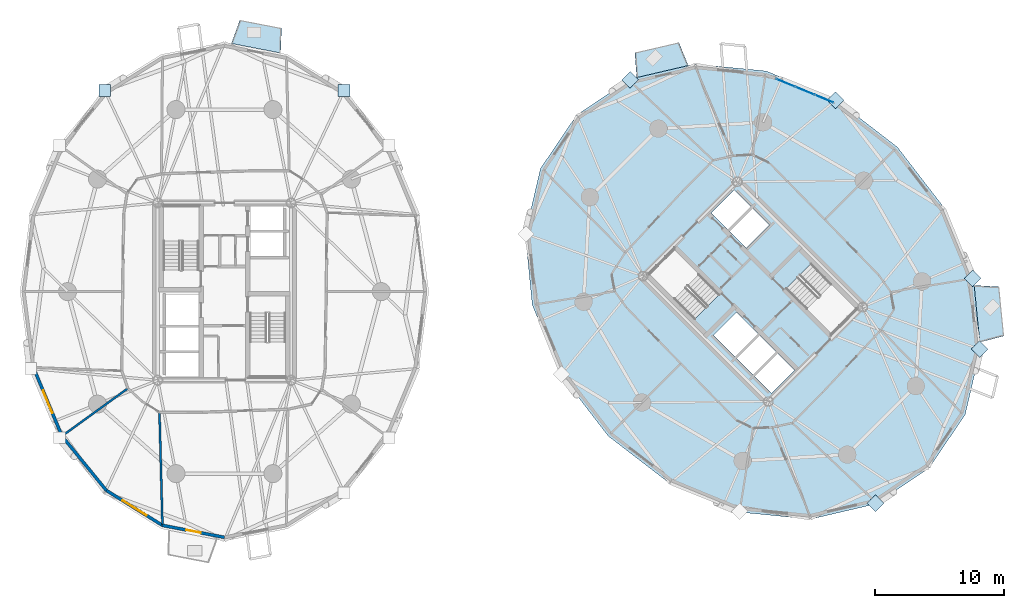
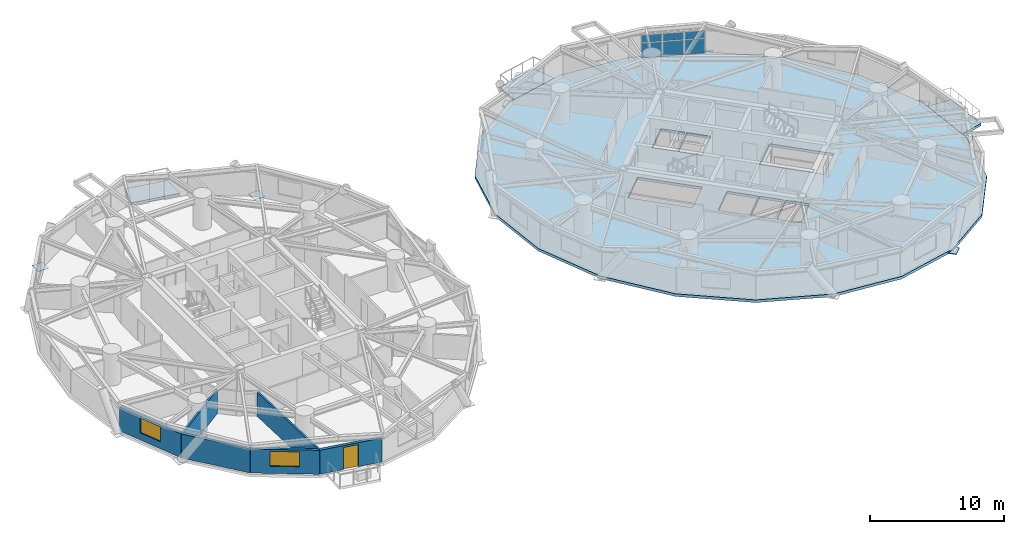
# One storey, part 9 of 19: 13 plates, 6 walls, 4 slabs, 2 windows, 1 door, 3 openings, 1 element without a shape of its own.
"""IFC4 building model written with IfcOpenShell, lengths in metres."""

from ifc_helpers import new_model, si_unit, direction, frame, frame_2d, origin, origin_2d, place, context, subcontext, project, spatial, polyline, rectangle, outline, extrude, source, transform, mapped, material, layer, layer_set, type_object, element, fill, aggregate, save


model = new_model("IFC4")

# Units and contexts
model_context = context("Model", 3, precision=1e-05, world=origin(), true_north=direction((0.0, 1.0)))
body_context = subcontext(model_context, "Body", "Model", "MODEL_VIEW")
ifc_project = project(units=[si_unit("LENGTHUNIT", "METRE"), si_unit("AREAUNIT", "SQUARE_METRE"), si_unit("VOLUMEUNIT", "CUBIC_METRE"), si_unit("PLANEANGLEUNIT", "RADIAN"), si_unit("MASSUNIT", "GRAM", prefix="KILO")], contexts=[model_context])

# Site, building, storey
site_placement = place(None, origin())
site = spatial("IfcSite", under=ifc_project, at=site_placement, CompositionType="ELEMENT")
building_placement = place(site_placement, origin())
building = spatial("IfcBuilding", under=site, at=building_placement, Name="Cununo Teusaquillo Station Towers", CompositionType="ELEMENT")
storey_placement = place(building_placement, frame((0.0, 0.0, 84.699951171875)))
storey = spatial("IfcBuildingStorey", under=building, at=storey_placement, Name="L26", CompositionType="ELEMENT", Elevation=84.699951171875)

# Slabs
ifc_material_1 = material(Name="Concrete C50/60", Category="concrete")
ifc_layer_1 = layer(ifc_material_1, 0.2099609375)
ifc_layer_set_1 = layer_set([ifc_layer_1], Name="Concrete C50/60")
slab_type_1 = type_object("IfcSlabType", Name="SLB-BAL-210", PredefinedType="FLOOR", material=ifc_layer_set_1)
slab_1_placement = place(storey_placement, frame((0.0, 0.0, -0.2099609375)))
element("IfcSlab", 1, at=slab_1_placement, inside=storey, type_object=slab_type_1, Name="L26 Tower A Tree Balcony Slab 1", PredefinedType="FLOOR", context=body_context, shape_type="SweptSolid", body=[
    extrude(outline(polyline([(20.8623046875, 43.01220703125), (17.041015625, 43.75048828125), (17.69873046875, 45.573974609375), (20.930908203125, 44.94921875), (20.8623046875, 43.01220703125)])), origin(), (0.0, 0.0, 1.0), 0.2099609375),
])
slab_2_placement = place(storey_placement, frame((0.0, 0.0, -0.2099609375)))
element("IfcSlab", 2, at=slab_2_placement, inside=storey, type_object=slab_type_1, Name="L26 Tower B Tree Balcony Slab 1", PredefinedType="FLOOR", context=body_context, shape_type="SweptSolid", body=[
    extrude(outline(polyline([(52.486083984375, 42.04150390625), (48.4873046875, 41.1083984375), (48.344482421875, 43.04150390625), (51.7587890625, 43.83837890625), (52.486083984375, 42.04150390625)])), origin(), (0.0, 0.0, 1.0), 0.2099609375),
])
slab_3_placement = place(storey_placement, frame((0.0, 0.0, -0.2099609375)))
element("IfcSlab", 3, at=slab_3_placement, inside=storey, type_object=slab_type_1, Name="L26 Tower B Tree Balcony Slab 2", PredefinedType="FLOOR", context=body_context, shape_type="SweptSolid", body=[
    extrude(outline(polyline([(75.1123046875, 20.57080078125), (74.675048828125, 24.984375), (76.6103515625, 24.87451171875), (76.988525390625, 21.05810546875), (75.1123046875, 20.57080078125)])), origin(), (0.0, 0.0, 1.0), 0.2099609375),
])
ifc_material_2 = material(Name="Concrete C40/50", Category="concrete")
ifc_layer_2 = layer(ifc_material_2, 0.239990234375)
ifc_layer_set_2 = layer_set([ifc_layer_2], Name="Concrete C40/50")
slab_type_2 = type_object("IfcSlabType", Name="SLB-Z2-240", PredefinedType="FLOOR", material=ifc_layer_set_2)
slab_4_placement = place(storey_placement, frame((0.0, 0.0, -0.239990234375)))
element("IfcSlab", 4, at=slab_4_placement, inside=storey, type_object=slab_type_2, Name="L26 Tower B Floor Slab", PredefinedType="FLOOR", context=body_context, shape_type="SweptSolid", body=[
    extrude(outline(polyline([(68.71533203125, 35.71533203125), (63.938232421875, 39.39453125), (58.531005859375, 41.61572265625), (53.02294921875, 42.16162109375), (47.952880859375, 40.978515625), (43.8173828125, 38.1826171875), (41.021484375, 34.047119140625), (39.83837890625, 28.97705078125), (40.38427734375, 23.468994140625), (42.60546875, 18.061767578125), (46.28466796875, 13.28466796875), (51.061767578125, 9.60546875), (56.468994140625, 7.38427734375), (61.97705078125, 6.83837890625), (67.047119140625, 8.021484375), (71.1826171875, 10.8173828125), (73.978515625, 14.952880859375), (75.16162109375, 20.02294921875), (74.61572265625, 25.531005859375), (72.39453125, 30.938232421875), (68.71533203125, 35.71533203125)]), holes=[polyline([(54.914794921875, 24.28515625), (51.390625, 27.809326171875), (49.43896484375, 25.857666015625), (52.963134765625, 22.33349609375), (54.914794921875, 24.28515625)]), polyline([(60.085205078125, 24.71484375), (63.609375, 21.190673828125), (65.56103515625, 23.142333984375), (62.036865234375, 26.66650390625), (60.085205078125, 24.71484375)]), polyline([(56.156494140625, 19.40869140625), (57.945556640625, 21.19775390625), (56.248291015625, 22.89501953125), (54.45947265625, 21.10595703125), (56.156494140625, 19.40869140625)]), polyline([(58.94970703125, 16.61572265625), (60.738525390625, 18.40478515625), (59.430419921875, 19.712890625), (57.641357421875, 17.923828125), (58.94970703125, 16.61572265625)]), polyline([(57.535400390625, 18.030029296875), (59.32421875, 19.819091796875), (58.01611328125, 21.127197265625), (56.227294921875, 19.338134765625), (57.535400390625, 18.030029296875)]), polyline([(56.98388671875, 27.872802734375), (58.772705078125, 29.661865234375), (57.464599609375, 30.969970703125), (55.67578125, 29.180908203125), (56.98388671875, 27.872802734375)]), polyline([(55.569580078125, 29.287109375), (57.358642578125, 31.076171875), (56.05029296875, 32.38427734375), (54.261474609375, 30.59521484375), (55.569580078125, 29.287109375)])]), origin(), (0.0, 0.0, 1.0), 0.239990234375),
])

# Plates
ifc_material_3 = material(Name="Steel ASTM A572 Grade 50", Category="steel")
ifc_layer_3 = layer(ifc_material_3, 0.050048828125)
ifc_layer_set_3 = layer_set([ifc_layer_3], Name="Steel ASTM A572 Grade 50")
plate_type_1 = type_object("IfcPlateType", Name="PLT-NODE-DN1", PredefinedType="USERDEFINED", material=ifc_layer_set_3)
shared_shape_1 = source(origin(), body_context, "Body", "SweptSolid", [
    extrude(rectangle(XDim=0.919921875, YDim=0.919921875, at=origin_2d()), origin(), (0.0, 0.0, 1.0), 0.050048828125),
])
for number, where, z_axis, x_axis, name in (
    (5, (25.78759765625, 40.10595703125, -0.1650390625), (0.0, 0.0, 1.0), (1.0, 0.0, 0.0), "L26 Tower A Diagrid Node Assembly C03"),
    (6, (7.21240234375, 40.10595703125, -0.1650390625), (0.0, 0.0, 1.0), (1.0, 0.0, 0.0), "L26 Tower A Diagrid Node Assembly C06"),
    (7, (63.9111328125, 39.341064453125, -0.1650390625), (0.0, 0.0, 1.0), (0.707106781187, 0.707106781187, 0.0), "L26 Tower B Diagrid Node Assembly C00"),
    (8, (47.980224609375, 40.92529296875, -0.1650390625), (0.0, 0.0, 1.0), (0.707106781187, 0.707106781187, 0.0), "L26 Tower B Diagrid Node Assembly C04"),
    (9, (67.019775390625, 8.07470703125, -0.1650390625), (0.0, 0.0, 1.0), (0.707106781187, 0.707106781187, 0.0), "L26 Tower B Diagrid Node Assembly C14"),
    (10, (75.102294921875, 20.0322265625, -0.1650390625), (0.0, 0.0, 1.0), (0.707106781187, 0.707106781187, 0.0), "L26 Tower B Diagrid Node Assembly C16"),
    (11, (74.556640625, 25.521728515625, -0.1650390625), (0.0, 0.0, 1.0), (0.707106781187, 0.707106781187, 0.0), "L26 Tower B Diagrid Node Assembly C18"),
):
    element("IfcPlate", number, at=place(storey_placement, frame(where, z_axis=z_axis, x_axis=x_axis)), inside=storey, type_object=plate_type_1, Name=name, ObjectType="GUSSET PLATE", PredefinedType="USERDEFINED", context=body_context, shape_type="MappedRepresentation", body=[
        mapped(shared_shape_1, transform((0.0, 0.0, 0.0), x_axis=(1.0, 0.0, 0.0), y_axis=(0.0, 1.0, 0.0), z_axis=(0.0, 0.0, 1.0), scale=1.0)),
    ])

# Curtain wall, plates
ifc_material_4 = material(Name="Ceramic-fritted dark low-E double glazing", Category="glass")
ifc_layer_4 = layer(ifc_material_4, 0.179931640625)
ifc_layer_set_4 = layer_set([ifc_layer_4], Name="Ceramic-fritted dark low-E double glazing")
curtain_wall_type = type_object("IfcCurtainWallType", Name="CW-SYS-04", PredefinedType="USERDEFINED", material=ifc_layer_set_4)
curtain_wall_placement = place(storey_placement, origin())
curtain_wall = element("IfcCurtainWall", 12, at=curtain_wall_placement, inside=storey, type_object=curtain_wall_type, Name="L26 Tower B Facade Curtain Wall C01", ObjectType="FRITTED GLAZING", PredefinedType="USERDEFINED")
ifc_material_5 = material(Name="Ceramic-fritted dark low-E double glazing", Category="glass")
ifc_layer_5 = layer(ifc_material_5, 0.028076171875)
ifc_layer_set_5 = layer_set([ifc_layer_5], Name="Ceramic-fritted dark low-E double glazing")
plate_type_2 = type_object("IfcPlateType", Name="CWP-FRIT-28", PredefinedType="CURTAIN_PANEL", material=ifc_layer_set_5)
shared_shape_2 = source(origin(), body_context, "Body", "SweptSolid", [
    extrude(rectangle(XDim=1.531005859375, YDim=0.028076171875, at=origin_2d()), origin(), (0.0, 0.0, 1.0), 1.31103515625),
])
plate_1_placement = place(storey_placement, frame((60.045654296875, 40.697021484375, 0.070068359375), z_axis=(0.0, 0.0, 1.0), x_axis=(0.924562443652, -0.381030560176, 0.0)))
plate_1 = element("IfcPlate", 13, at=plate_1_placement, type_object=plate_type_2, Name="CW-04 panel 1.1", PredefinedType="CURTAIN_PANEL", context=body_context, shape_type="MappedRepresentation", body=[
    mapped(shared_shape_2, transform((0.0, 0.0, 0.0), x_axis=(1.0, 0.0, 0.0), y_axis=(0.0, 1.0, 0.0), z_axis=(0.0, 0.0, 1.0), scale=1.0)),
])
plate_2_placement = place(storey_placement, frame((63.03857421875, 39.463623046875, 0.070068359375), z_axis=(0.0, 0.0, 1.0), x_axis=(0.924562443652, -0.381030560176, 0.0)))
plate_2 = element("IfcPlate", 14, at=plate_2_placement, type_object=plate_type_2, Name="CW-04 panel 3.1", PredefinedType="CURTAIN_PANEL", context=body_context, shape_type="MappedRepresentation", body=[
    mapped(shared_shape_2, transform((0.0, 0.0, 0.0), x_axis=(1.0, 0.0, 0.0), y_axis=(0.0, 1.0, 0.0), z_axis=(0.0, 0.0, 1.0), scale=1.0)),
])
shared_shape_3 = source(origin(), body_context, "Body", "SweptSolid", [
    extrude(rectangle(XDim=1.531005859375, YDim=0.028076171875, at=origin_2d()), origin(), (0.0, 0.0, 1.0), 0.657958984375),
])
plate_3_placement = place(storey_placement, frame((60.045654296875, 40.697021484375, 1.451171875), z_axis=(0.0, 0.0, 1.0), x_axis=(0.924562443652, -0.381030560176, 0.0)))
plate_3 = element("IfcPlate", 15, at=plate_3_placement, type_object=plate_type_2, Name="CW-04 panel 1.2", PredefinedType="CURTAIN_PANEL", context=body_context, shape_type="MappedRepresentation", body=[
    mapped(shared_shape_3, transform((0.0, 0.0, 0.0), x_axis=(1.0, 0.0, 0.0), y_axis=(0.0, 1.0, 0.0), z_axis=(0.0, 0.0, 1.0), scale=1.0)),
])
plate_4_placement = place(storey_placement, frame((63.03857421875, 39.463623046875, 1.451171875), z_axis=(0.0, 0.0, 1.0), x_axis=(0.924562443652, -0.381030560176, 0.0)))
plate_4 = element("IfcPlate", 16, at=plate_4_placement, type_object=plate_type_2, Name="CW-04 panel 3.2", PredefinedType="CURTAIN_PANEL", context=body_context, shape_type="MappedRepresentation", body=[
    mapped(shared_shape_3, transform((0.0, 0.0, 0.0), x_axis=(1.0, 0.0, 0.0), y_axis=(0.0, 1.0, 0.0), z_axis=(0.0, 0.0, 1.0), scale=1.0)),
])
shared_shape_4 = source(origin(), body_context, "Body", "SweptSolid", [
    extrude(rectangle(XDim=1.566162109375, YDim=0.028076171875, at=origin_2d()), origin(), (0.0, 0.0, 1.0), 1.31103515625),
])
plate_5_placement = place(storey_placement, frame((61.542236328125, 40.080322265625, 0.070068359375), z_axis=(0.0, 0.0, 1.0), x_axis=(0.924562443652, -0.381030560176, 0.0)))
plate_5 = element("IfcPlate", 17, at=plate_5_placement, type_object=plate_type_2, Name="CW-04 panel 2.1", PredefinedType="CURTAIN_PANEL", context=body_context, shape_type="MappedRepresentation", body=[
    mapped(shared_shape_4, transform((0.0, 0.0, 0.0), x_axis=(1.0, 0.0, 0.0), y_axis=(0.0, 1.0, 0.0), z_axis=(0.0, 0.0, 1.0), scale=1.0)),
])
shared_shape_5 = source(origin(), body_context, "Body", "SweptSolid", [
    extrude(rectangle(XDim=1.566162109375, YDim=0.028076171875, at=origin_2d()), origin(), (0.0, 0.0, 1.0), 0.657958984375),
])
plate_6_placement = place(storey_placement, frame((61.542236328125, 40.080322265625, 1.451171875), z_axis=(0.0, 0.0, 1.0), x_axis=(0.924562443652, -0.381030560176, 0.0)))
plate_6 = element("IfcPlate", 18, at=plate_6_placement, type_object=plate_type_2, Name="CW-04 panel 2.2", PredefinedType="CURTAIN_PANEL", context=body_context, shape_type="MappedRepresentation", body=[
    mapped(shared_shape_5, transform((0.0, 0.0, 0.0), x_axis=(1.0, 0.0, 0.0), y_axis=(0.0, 1.0, 0.0), z_axis=(0.0, 0.0, 1.0), scale=1.0)),
])
aggregate(curtain_wall, [plate_1, plate_3, plate_5, plate_6, plate_2, plate_4])

# Wall, opening, window
ifc_material_6 = material(Name="Precast concrete C40/50", Category="concrete")
ifc_layer_6 = layer(ifc_material_6, 0.239990234375)
ifc_layer_set_6 = layer_set([ifc_layer_6], Name="Precast concrete C40/50")
wall_type_1 = type_object("IfcWallType", Name="WL-EXT-240", PredefinedType="SOLIDWALL", material=ifc_layer_set_6)
wall_1_placement = place(storey_placement, frame((3.894775390625, 13.291015625, 0.0), z_axis=(0.0, 0.0, 1.0), x_axis=(-0.384344417632, 0.923189779317, 0.0)))
wall_1 = element("IfcWall", 19, at=wall_1_placement, inside=storey, type_object=wall_type_1, Name="L26 Tower A Exterior Facade Wall C11", PredefinedType="SOLIDWALL", context=body_context, shape_type="SweptSolid", body=[
    extrude(rectangle(XDim=5.75830078125, YDim=0.239990234375, at=frame_2d((2.879150390625, 0.0))), origin(), (0.0, 0.0, 1.0), 2.178955078125),
])
shared_shape_6 = source(origin(), body_context, "Body", "SweptSolid", [
    extrude(rectangle(XDim=1.89990234375, YDim=1.35009765625, at=frame_2d((0.949951171875, 0.675048828125))), frame((0.0, 0.1298828125, 0.0), z_axis=(0.0, -1.0, 0.0), x_axis=(1.0, 0.0, 0.0)), (0.0, 0.0, 1.0), 0.260009765625),
])
opening_1_placement = place(wall_1_placement, frame((1.928955078125, 0.0, 0.64990234375)))
opening_1 = element("IfcOpeningElement", 20, at=opening_1_placement, cuts=wall_1, Name="Opening WN-02", PredefinedType="OPENING", context=body_context, shape_type="MappedRepresentation", body=[
    mapped(shared_shape_6, transform((0.0, 0.0, 0.0), x_axis=(1.0, 0.0, 0.0), y_axis=(0.0, 1.0, 0.0), z_axis=(0.0, 0.0, 1.0), scale=1.0)),
])
ifc_material_7 = material(Name="Operable acoustic tinted low-E double glazing", Category="glass")
window_type_1 = type_object("IfcWindowType", Name="WIN-OPER-1900", PartitioningType="DOUBLE_PANEL_VERTICAL", PredefinedType="WINDOW", material=ifc_material_7)
shared_shape_7 = source(origin(), body_context, "Body", "SweptSolid", [
    extrude(rectangle(XDim=1.89990234375, YDim=1.35009765625, at=frame_2d((0.949951171875, 0.675048828125))), frame((0.0, 0.030029296875, 0.0), z_axis=(0.0, -1.0, 0.0), x_axis=(1.0, 0.0, 0.0)), (0.0, 0.0, 1.0), 0.06005859375),
])
window_1_placement = place(opening_1_placement, origin())
window_1 = element("IfcWindow", 21, at=window_1_placement, inside=storey, type_object=window_type_1, Name="L26 Tower A Facade Window C11", OverallHeight=1.35009765625, OverallWidth=1.89990234375, PartitioningType="DOUBLE_PANEL_VERTICAL", PredefinedType="WINDOW", context=body_context, shape_type="MappedRepresentation", body=[
    mapped(shared_shape_7, transform((0.0, 0.0, 0.0), x_axis=(1.0, 0.0, 0.0), y_axis=(0.0, 1.0, 0.0), z_axis=(0.0, 0.0, 1.0), scale=1.0)),
])
fill(opening_1, window_1)

# Wall
wall_2_placement = place(storey_placement, frame((7.341796875, 9.072021484375, 0.0), z_axis=(0.0, 0.0, 1.0), x_axis=(-0.632700781152, 0.77439635945, 0.0)))
element("IfcWall", 22, at=wall_2_placement, inside=storey, type_object=wall_type_1, Name="L26 Tower A Exterior Facade Wall C12", PredefinedType="SOLIDWALL", context=body_context, shape_type="SweptSolid", body=[
    extrude(rectangle(XDim=5.447998046875, YDim=0.239990234375, at=frame_2d((2.72412109375, 0.0))), origin(), (0.0, 0.0, 1.0), 2.178955078125),
])

# Wall, opening, window
wall_3_placement = place(storey_placement, frame((11.685302734375, 6.36328125, 0.0), z_axis=(0.0, 0.0, 1.0), x_axis=(-0.848520380187, 0.529162701263, 0.0)))
wall_3 = element("IfcWall", 23, at=wall_3_placement, inside=storey, type_object=wall_type_1, Name="L26 Tower A Exterior Facade Wall C13", PredefinedType="SOLIDWALL", context=body_context, shape_type="SweptSolid", body=[
    extrude(rectangle(XDim=5.118896484375, YDim=0.239990234375, at=frame_2d((2.5595703125, 0.0))), origin(), (0.0, 0.0, 1.0), 2.178955078125),
])
shared_shape_8 = source(origin(), body_context, "Body", "SweptSolid", [
    extrude(rectangle(XDim=2.199951171875, YDim=1.35009765625, at=frame_2d((1.10009765625, 0.675048828125))), frame((0.0, 0.1298828125, 0.0), z_axis=(0.0, -1.0, 0.0), x_axis=(1.0, 0.0, 0.0)), (0.0, 0.0, 1.0), 0.260009765625),
])
opening_2_placement = place(wall_3_placement, frame((1.458984375, 0.0, 0.64990234375)))
opening_2 = element("IfcOpeningElement", 24, at=opening_2_placement, cuts=wall_3, Name="Opening WN-01", PredefinedType="OPENING", context=body_context, shape_type="MappedRepresentation", body=[
    mapped(shared_shape_8, transform((0.0, 0.0, 0.0), x_axis=(1.0, 0.0, 0.0), y_axis=(0.0, 1.0, 0.0), z_axis=(0.0, 0.0, 1.0), scale=1.0)),
])
ifc_material_8 = material(Name="Ceramic-fritted dark low-E double glazing", Category="glass")
window_type_2 = type_object("IfcWindowType", Name="WIN-FRIT-2200", PartitioningType="DOUBLE_PANEL_VERTICAL", PredefinedType="WINDOW", material=ifc_material_8)
shared_shape_9 = source(origin(), body_context, "Body", "SweptSolid", [
    extrude(rectangle(XDim=2.199951171875, YDim=1.35009765625, at=frame_2d((1.10009765625, 0.675048828125))), frame((0.0, 0.030029296875, 0.0), z_axis=(0.0, -1.0, 0.0), x_axis=(1.0, 0.0, 0.0)), (0.0, 0.0, 1.0), 0.06005859375),
])
window_2_placement = place(opening_2_placement, origin())
window_2 = element("IfcWindow", 25, at=window_2_placement, inside=storey, type_object=window_type_2, Name="L26 Tower A Facade Window C13", OverallHeight=1.35009765625, OverallWidth=2.199951171875, PartitioningType="DOUBLE_PANEL_VERTICAL", PredefinedType="WINDOW", context=body_context, shape_type="MappedRepresentation", body=[
    mapped(shared_shape_9, transform((0.0, 0.0, 0.0), x_axis=(1.0, 0.0, 0.0), y_axis=(0.0, 1.0, 0.0), z_axis=(0.0, 0.0, 1.0), scale=1.0)),
])
fill(opening_2, window_2)

# Wall, opening, door
wall_4_placement = place(storey_placement, frame((16.5, 5.429931640625, 0.0), z_axis=(0.0, 0.0, 1.0), x_axis=(-0.981723785992, 0.190311344954, 0.0)))
wall_4 = element("IfcWall", 26, at=wall_4_placement, inside=storey, type_object=wall_type_1, Name="L26 Tower A Exterior Facade Wall C14", PredefinedType="SOLIDWALL", context=body_context, shape_type="SweptSolid", body=[
    extrude(rectangle(XDim=4.904296875, YDim=0.239990234375, at=frame_2d((2.4521484375, 0.0))), origin(), (0.0, 0.0, 1.0), 2.178955078125),
])
shared_shape_10 = source(origin(), body_context, "Body", "SweptSolid", [
    extrude(rectangle(XDim=1.14990234375, YDim=2.0048828125, at=frame_2d((0.574951171875, 1.00244140625))), frame((0.0, 0.1298828125, 0.0), z_axis=(0.0, -1.0, 0.0), x_axis=(1.0, 0.0, 0.0)), (0.0, 0.0, 1.0), 0.260009765625),
])
opening_3_placement = place(wall_4_placement, frame((1.876953125, 0.0, 0.0)))
opening_3 = element("IfcOpeningElement", 27, at=opening_3_placement, cuts=wall_4, Name="Opening ED-03", PredefinedType="OPENING", context=body_context, shape_type="MappedRepresentation", body=[
    mapped(shared_shape_10, transform((0.0, 0.0, 0.0), x_axis=(1.0, 0.0, 0.0), y_axis=(0.0, 1.0, 0.0), z_axis=(0.0, 0.0, 1.0), scale=1.0)),
])
ifc_material_9 = material(Name="Anodised dark bronze aluminium EN AW-6063-T6", Category="aluminium")
door_type = type_object("IfcDoorType", Name="DR-EXT-BAL", OperationType="NOTDEFINED", PredefinedType="DOOR", material=ifc_material_9)
shared_shape_11 = source(origin(), body_context, "Body", "SweptSolid", [
    extrude(rectangle(XDim=1.14990234375, YDim=2.0048828125, at=frame_2d((0.574951171875, 1.00244140625))), frame((0.0, 0.02490234375, 0.0), z_axis=(0.0, -1.0, 0.0), x_axis=(1.0, 0.0, 0.0)), (0.0, 0.0, 1.0), 0.050048828125),
])
door_placement = place(opening_3_placement, origin())
door = element("IfcDoor", 28, at=door_placement, inside=storey, type_object=door_type, Name="L26 Tower A Tree Balcony Door C14", OperationType="SINGLE_SWING_LEFT", OverallHeight=2.0048828125, OverallWidth=1.14990234375, PredefinedType="DOOR", context=body_context, shape_type="MappedRepresentation", body=[
    mapped(shared_shape_11, transform((0.0, 0.0, 0.0), x_axis=(1.0, 0.0, 0.0), y_axis=(0.0, 1.0, 0.0), z_axis=(0.0, 0.0, 1.0), scale=1.0)),
])
fill(opening_3, door)

# Walls
ifc_material_10 = material(Name="Fire-rated gypsum plasterboard partition assembly", Category="gypsum")
ifc_layer_7 = layer(ifc_material_10, 0.159912109375)
ifc_layer_set_7 = layer_set([ifc_layer_7], Name="Fire-rated gypsum plasterboard partition assembly")
wall_type_2 = type_object("IfcWallType", Name="WL-PART-160", PredefinedType="PARTITIONING", material=ifc_layer_set_7)
wall_5_placement = place(storey_placement, frame((9.01025390625, 16.994384765625, 0.0), z_axis=(0.0, 0.0, 1.0), x_axis=(-0.81001707524, -0.586406290741, 0.0)))
element("IfcWall", 29, at=wall_5_placement, inside=storey, type_object=wall_type_2, Name="L26 Tower A Radial Suite Partition R07", PredefinedType="PARTITIONING", context=body_context, shape_type="SweptSolid", body=[
    extrude(rectangle(XDim=6.29541015625, YDim=0.159912109375, at=frame_2d((3.147705078125, 0.0))), origin(), (0.0, 0.0, 1.0), 2.178955078125),
])
wall_6_placement = place(storey_placement, frame((11.459716796875, 15.128662109375, 0.0), z_axis=(0.0, 0.0, 1.0), x_axis=(0.026480592098, -0.999649327636, 0.0)))
element("IfcWall", 30, at=wall_6_placement, inside=storey, type_object=wall_type_2, Name="L26 Tower A Radial Suite Partition R08", PredefinedType="PARTITIONING", context=body_context, shape_type="SweptSolid", body=[
    extrude(rectangle(XDim=8.74951171875, YDim=0.159912109375, at=frame_2d((4.374755859375, 0.0))), origin(), (0.0, 0.0, 1.0), 2.178955078125),
])

save(model, "model.ifc")
